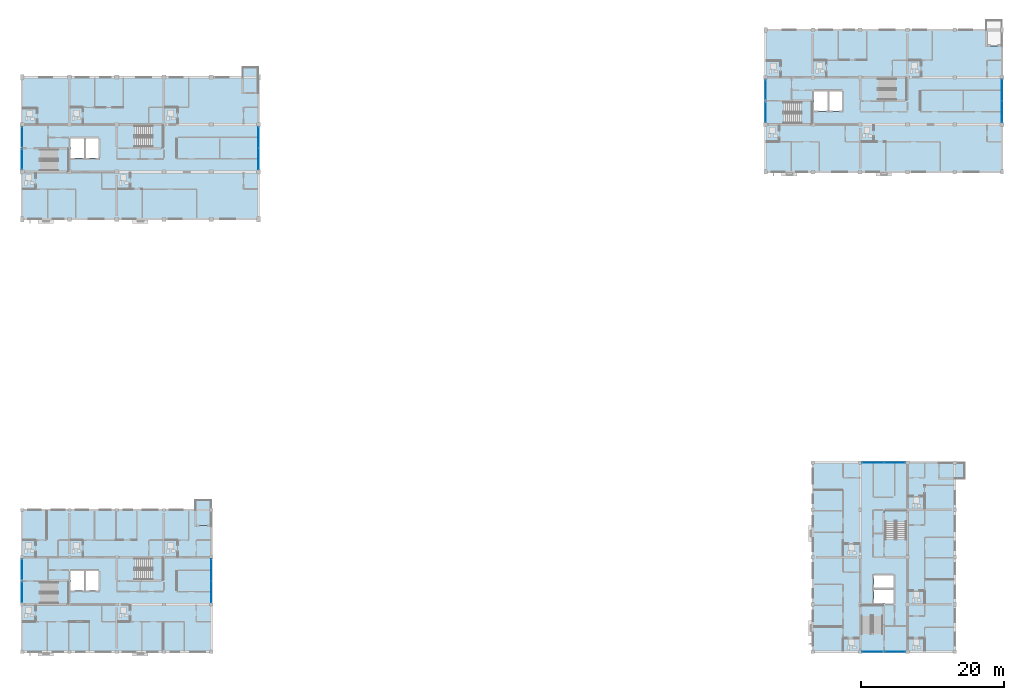
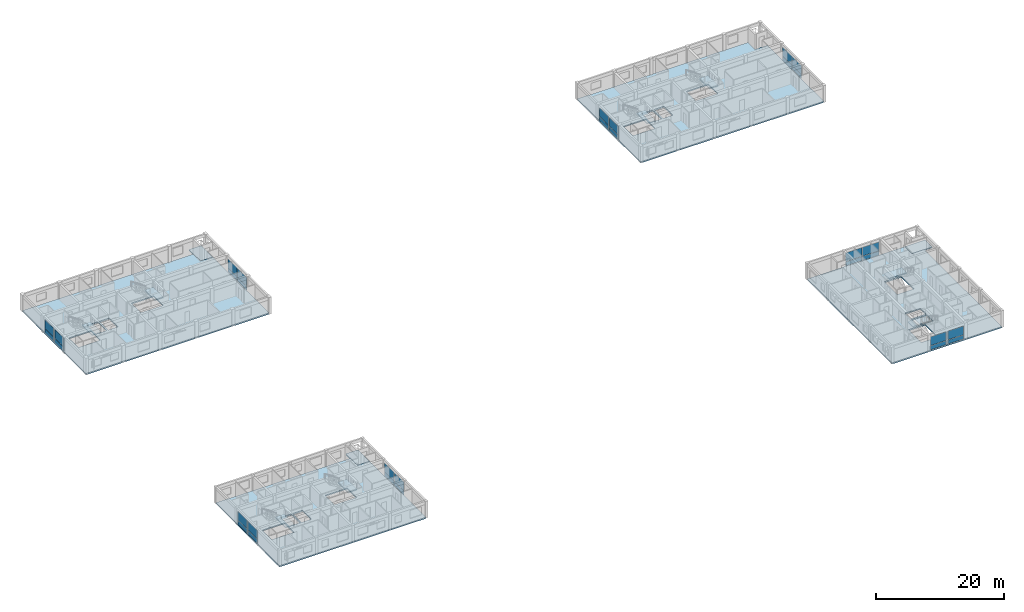
# One storey, part 24 of 52: 32 plates, 15 slabs, 20 elements without a shape of their own.
"""IFC4 building model written with IfcOpenShell, lengths in metres."""

from ifc_helpers import new_model, si_unit, direction, frame, origin, origin_2d, place, context, subcontext, project, spatial, polyline, rectangle, outline, extrude, material, layer, layer_set, type_object, element, aggregate, save


model = new_model("IFC4")

# Units and contexts
model_context = context("Model", 3, precision=1e-05, world=origin(), true_north=direction((0.0, 1.0)))
body_context = subcontext(model_context, "Body", "Model", "MODEL_VIEW")
ifc_project = project(units=[si_unit("LENGTHUNIT", "METRE"), si_unit("AREAUNIT", "SQUARE_METRE"), si_unit("VOLUMEUNIT", "CUBIC_METRE"), si_unit("PLANEANGLEUNIT", "RADIAN"), si_unit("MASSUNIT", "GRAM", prefix="KILO")], contexts=[model_context])

# Site, building, storey
site_placement = place(None, origin())
site = spatial("IfcSite", under=ifc_project, at=site_placement, CompositionType="ELEMENT")
building_placement = place(site_placement, origin())
building = spatial("IfcBuilding", under=site, at=building_placement, Name="Kernevlak Ridge Housing Community", CompositionType="ELEMENT")
storey_placement = place(building_placement, frame((0.0, 0.0, 11.60009765625)))
storey = spatial("IfcBuildingStorey", under=building, at=storey_placement, Name="L03", CompositionType="ELEMENT", Elevation=11.60009765625)

# Curtain wall, plate
ifc_material_1 = material(Name="Aluminium EN AW-6060 anodised and laminated glass", Category="aluminium")
curtain_wall_type_1 = type_object("IfcCurtainWallType", Name="CW-01", PredefinedType="NOTDEFINED", material=ifc_material_1)
curtain_wall_1_placement = place(storey_placement, origin())
curtain_wall_1 = element("IfcCurtainWall", 1, at=curtain_wall_1_placement, inside=storey, type_object=curtain_wall_type_1, Name="Curtain wall CW-01 CW-L03-010", PredefinedType="NOTDEFINED")
ifc_material_2 = material(Name="Solar-control double glazing glass", Category="glass")
ifc_layer_1 = layer(ifc_material_2, 0.02392578125, Name="Solar-control double glazing glass")
ifc_layer_set_1 = layer_set([ifc_layer_1], Name="Solar-control double glazing glass")
plate_type_1 = type_object("IfcPlateType", Name="CP-01", PredefinedType="CURTAIN_PANEL", material=ifc_layer_set_1)
plate_1_placement = place(storey_placement, frame((15.60009765625, 84.344970703125, 0.8798828125), z_axis=(0.0, 0.0, 1.0), x_axis=(0.0, 1.0, 0.0)))
plate_1 = element("IfcPlate", 2, at=plate_1_placement, type_object=plate_type_1, Name="CW-01 panel 1.2", PredefinedType="CURTAIN_PANEL", context=body_context, shape_type="SweptSolid", body=[
    extrude(rectangle(XDim=2.77001953125, YDim=0.02392578125, at=origin_2d()), origin(), (0.0, 0.0, 1.0), 1.659912109375),
])

curtain_wall_type_2 = type_object("IfcCurtainWallType", Name="CW-07", PredefinedType="NOTDEFINED", material=ifc_material_1)
curtain_wall_2_placement = place(storey_placement, origin())
curtain_wall_2 = element("IfcCurtainWall", 3, at=curtain_wall_2_placement, inside=storey, type_object=curtain_wall_type_2, Name="Curtain wall CW-07 CW-L03-011", PredefinedType="NOTDEFINED")
plate_2_placement = place(storey_placement, frame((15.60009765625, 87.455078125, 0.88232421875), z_axis=(0.0, 0.0, 1.0), x_axis=(0.0, 1.0, 0.0)))
plate_2 = element("IfcPlate", 4, at=plate_2_placement, type_object=plate_type_1, Name="CW-07 panel 1.2", PredefinedType="CURTAIN_PANEL", context=body_context, shape_type="SweptSolid", body=[
    extrude(rectangle(XDim=2.760009765625, YDim=0.02392578125, at=origin_2d()), origin(), (0.0, 0.0, 1.0), 1.652587890625),
])

# Curtain wall, plates
curtain_wall_type_3 = type_object("IfcCurtainWallType", Name="CW-09", PredefinedType="NOTDEFINED", material=ifc_material_1)
curtain_wall_3_placement = place(storey_placement, origin())
curtain_wall_3 = element("IfcCurtainWall", 5, at=curtain_wall_3_placement, inside=storey, type_object=curtain_wall_type_3, Name="Curtain wall CW-09 CW-L03-012", PredefinedType="NOTDEFINED")
plate_3_placement = place(storey_placement, frame((48.60009765625, 84.413818359375, 0.87744140625), z_axis=(0.0, 0.0, 1.0), x_axis=(0.0, 1.0, 0.0)))
plate_3 = element("IfcPlate", 6, at=plate_3_placement, type_object=plate_type_1, Name="CW-09 panel 1.2", PredefinedType="CURTAIN_PANEL", context=body_context, shape_type="SweptSolid", body=[
    extrude(rectangle(XDim=2.91748046875, YDim=0.02392578125, at=origin_2d()), origin(), (0.0, 0.0, 1.0), 1.66748046875),
])
plate_4_placement = place(storey_placement, frame((48.60009765625, 87.38623046875, 0.87744140625), z_axis=(0.0, 0.0, 1.0), x_axis=(0.0, 1.0, 0.0)))
plate_4 = element("IfcPlate", 7, at=plate_4_placement, type_object=plate_type_1, Name="CW-09 panel 2.2", PredefinedType="CURTAIN_PANEL", context=body_context, shape_type="SweptSolid", body=[
    extrude(rectangle(XDim=2.91748046875, YDim=0.02392578125, at=origin_2d()), origin(), (0.0, 0.0, 1.0), 1.66748046875),
])

# Curtain wall, plate
curtain_wall_type_4 = type_object("IfcCurtainWallType", Name="CW-04", PredefinedType="NOTDEFINED", material=ifc_material_1)
curtain_wall_4_placement = place(storey_placement, origin())
curtain_wall_4 = element("IfcCurtainWall", 8, at=curtain_wall_4_placement, inside=storey, type_object=curtain_wall_type_4, Name="Curtain wall CW-04 CW-L03-064", PredefinedType="NOTDEFINED")
plate_5_placement = place(storey_placement, frame((119.39990234375, 90.9326171875, 0.8798828125), z_axis=(0.0, 0.0, 1.0), x_axis=(0.0, 1.0, 0.0)))
plate_5 = element("IfcPlate", 9, at=plate_5_placement, type_object=plate_type_1, Name="CW-04 panel 1.2", PredefinedType="CURTAIN_PANEL", context=body_context, shape_type="SweptSolid", body=[
    extrude(rectangle(XDim=2.794921875, YDim=0.02392578125, at=origin_2d()), origin(), (0.0, 0.0, 1.0), 1.659912109375),
])

curtain_wall_type_5 = type_object("IfcCurtainWallType", Name="CW-10", PredefinedType="NOTDEFINED", material=ifc_material_1)
curtain_wall_5_placement = place(storey_placement, origin())
curtain_wall_5 = element("IfcCurtainWall", 10, at=curtain_wall_5_placement, inside=storey, type_object=curtain_wall_type_5, Name="Curtain wall CW-10 CW-L03-065", PredefinedType="NOTDEFINED")
plate_6_placement = place(storey_placement, frame((119.39990234375, 94.0673828125, 0.88232421875), z_axis=(0.0, 0.0, 1.0), x_axis=(0.0, 1.0, 0.0)))
plate_6 = element("IfcPlate", 11, at=plate_6_placement, type_object=plate_type_1, Name="CW-10 panel 1.2", PredefinedType="CURTAIN_PANEL", context=body_context, shape_type="SweptSolid", body=[
    extrude(rectangle(XDim=2.784912109375, YDim=0.02392578125, at=origin_2d()), origin(), (0.0, 0.0, 1.0), 1.652587890625),
])

# Curtain wall, plates
curtain_wall_type_6 = type_object("IfcCurtainWallType", Name="CW-11", PredefinedType="NOTDEFINED", material=ifc_material_1)
curtain_wall_6_placement = place(storey_placement, origin())
curtain_wall_6 = element("IfcCurtainWall", 12, at=curtain_wall_6_placement, inside=storey, type_object=curtain_wall_type_6, Name="Curtain wall CW-11 CW-L03-066", PredefinedType="NOTDEFINED")
plate_7_placement = place(storey_placement, frame((152.39990234375, 91.001220703125, 0.87744140625), z_axis=(0.0, 0.0, 1.0), x_axis=(0.0, 1.0, 0.0)))
plate_7 = element("IfcPlate", 13, at=plate_7_placement, type_object=plate_type_1, Name="CW-11 panel 1.2", PredefinedType="CURTAIN_PANEL", context=body_context, shape_type="SweptSolid", body=[
    extrude(rectangle(XDim=2.9423828125, YDim=0.02392578125, at=origin_2d()), origin(), (0.0, 0.0, 1.0), 1.66748046875),
])
plate_8_placement = place(storey_placement, frame((152.39990234375, 93.998779296875, 0.87744140625), z_axis=(0.0, 0.0, 1.0), x_axis=(0.0, 1.0, 0.0)))
plate_8 = element("IfcPlate", 14, at=plate_8_placement, type_object=plate_type_1, Name="CW-11 panel 2.2", PredefinedType="CURTAIN_PANEL", context=body_context, shape_type="SweptSolid", body=[
    extrude(rectangle(XDim=2.9423828125, YDim=0.02392578125, at=origin_2d()), origin(), (0.0, 0.0, 1.0), 1.66748046875),
])

# Curtain wall, plate
curtain_wall_7_placement = place(storey_placement, origin())
curtain_wall_7 = element("IfcCurtainWall", 15, at=curtain_wall_7_placement, inside=storey, type_object=curtain_wall_type_2, Name="Curtain wall CW-07 CW-L03-109", PredefinedType="NOTDEFINED")
plate_9_placement = place(storey_placement, frame((134.320068359375, 15.60009765625, 0.8798828125), z_axis=(0.0, 0.0, 1.0), x_axis=(1.0, 0.0, 0.0)))
plate_9 = element("IfcPlate", 16, at=plate_9_placement, type_object=plate_type_1, Name="CW-07 panel 1.2", PredefinedType="CURTAIN_PANEL", context=body_context, shape_type="SweptSolid", body=[
    extrude(rectangle(XDim=2.820068359375, YDim=0.02392578125, at=origin_2d()), origin(), (0.0, 0.0, 1.0), 1.659912109375),
])

curtain_wall_type_7 = type_object("IfcCurtainWallType", Name="CW-13", PredefinedType="NOTDEFINED", material=ifc_material_1)
curtain_wall_8_placement = place(storey_placement, origin())
curtain_wall_8 = element("IfcCurtainWall", 17, at=curtain_wall_8_placement, inside=storey, type_object=curtain_wall_type_7, Name="Curtain wall CW-13 CW-L03-110", PredefinedType="NOTDEFINED")
plate_10_placement = place(storey_placement, frame((137.47998046875, 15.60009765625, 0.88232421875), z_axis=(0.0, 0.0, 1.0), x_axis=(1.0, 0.0, 0.0)))
plate_10 = element("IfcPlate", 18, at=plate_10_placement, type_object=plate_type_1, Name="CW-13 panel 1.2", PredefinedType="CURTAIN_PANEL", context=body_context, shape_type="SweptSolid", body=[
    extrude(rectangle(XDim=2.81005859375, YDim=0.02392578125, at=origin_2d()), origin(), (0.0, 0.0, 1.0), 1.652587890625),
])

# Curtain wall, plates
curtain_wall_9_placement = place(storey_placement, origin())
curtain_wall_9 = element("IfcCurtainWall", 19, at=curtain_wall_9_placement, inside=storey, type_object=curtain_wall_type_7, Name="Curtain wall CW-13 CW-L03-111", PredefinedType="NOTDEFINED")
plate_11_placement = place(storey_placement, frame((134.388671875, 42.0, 0.87744140625), z_axis=(0.0, 0.0, 1.0), x_axis=(1.0, 0.0, 0.0)))
plate_11 = element("IfcPlate", 20, at=plate_11_placement, type_object=plate_type_1, Name="CW-13 panel 1.2", PredefinedType="CURTAIN_PANEL", context=body_context, shape_type="SweptSolid", body=[
    extrude(rectangle(XDim=2.967529296875, YDim=0.02392578125, at=origin_2d()), origin(), (0.0, 0.0, 1.0), 1.66748046875),
])
plate_12_placement = place(storey_placement, frame((137.4111328125, 42.0, 0.87744140625), z_axis=(0.0, 0.0, 1.0), x_axis=(1.0, 0.0, 0.0)))
plate_12 = element("IfcPlate", 21, at=plate_12_placement, type_object=plate_type_1, Name="CW-13 panel 2.2", PredefinedType="CURTAIN_PANEL", context=body_context, shape_type="SweptSolid", body=[
    extrude(rectangle(XDim=2.967529296875, YDim=0.02392578125, at=origin_2d()), origin(), (0.0, 0.0, 1.0), 1.66748046875),
])

# Curtain wall, plate
curtain_wall_10_placement = place(storey_placement, origin())
curtain_wall_10 = element("IfcCurtainWall", 22, at=curtain_wall_10_placement, inside=storey, type_object=curtain_wall_type_5, Name="Curtain wall CW-10 CW-L03-148", PredefinedType="NOTDEFINED")
plate_13_placement = place(storey_placement, frame((15.60009765625, 23.907470703125, 0.8798828125), z_axis=(0.0, 0.0, 1.0), x_axis=(0.0, 1.0, 0.0)))
plate_13 = element("IfcPlate", 23, at=plate_13_placement, type_object=plate_type_1, Name="CW-10 panel 1.2", PredefinedType="CURTAIN_PANEL", context=body_context, shape_type="SweptSolid", body=[
    extrude(rectangle(XDim=2.844970703125, YDim=0.02392578125, at=origin_2d()), origin(), (0.0, 0.0, 1.0), 1.659912109375),
])

curtain_wall_type_8 = type_object("IfcCurtainWallType", Name="CW-02", PredefinedType="NOTDEFINED", material=ifc_material_1)
curtain_wall_11_placement = place(storey_placement, origin())
curtain_wall_11 = element("IfcCurtainWall", 24, at=curtain_wall_11_placement, inside=storey, type_object=curtain_wall_type_8, Name="Curtain wall CW-02 CW-L03-149", PredefinedType="NOTDEFINED")
plate_14_placement = place(storey_placement, frame((15.60009765625, 27.092529296875, 0.88232421875), z_axis=(0.0, 0.0, 1.0), x_axis=(0.0, 1.0, 0.0)))
plate_14 = element("IfcPlate", 25, at=plate_14_placement, type_object=plate_type_1, Name="CW-02 panel 1.2", PredefinedType="CURTAIN_PANEL", context=body_context, shape_type="SweptSolid", body=[
    extrude(rectangle(XDim=2.8349609375, YDim=0.02392578125, at=origin_2d()), origin(), (0.0, 0.0, 1.0), 1.652587890625),
])

# Curtain wall, plates
curtain_wall_12_placement = place(storey_placement, origin())
curtain_wall_12 = element("IfcCurtainWall", 26, at=curtain_wall_12_placement, inside=storey, type_object=curtain_wall_type_1, Name="Curtain wall CW-01 CW-L03-150", PredefinedType="NOTDEFINED")
plate_15_placement = place(storey_placement, frame((42.0, 23.976318359375, 0.87744140625), z_axis=(0.0, 0.0, 1.0), x_axis=(0.0, 1.0, 0.0)))
plate_15 = element("IfcPlate", 27, at=plate_15_placement, type_object=plate_type_1, Name="CW-01 panel 1.2", PredefinedType="CURTAIN_PANEL", context=body_context, shape_type="SweptSolid", body=[
    extrude(rectangle(XDim=2.992431640625, YDim=0.02392578125, at=origin_2d()), origin(), (0.0, 0.0, 1.0), 1.66748046875),
])
plate_16_placement = place(storey_placement, frame((42.0, 27.023681640625, 0.87744140625), z_axis=(0.0, 0.0, 1.0), x_axis=(0.0, 1.0, 0.0)))
plate_16 = element("IfcPlate", 28, at=plate_16_placement, type_object=plate_type_1, Name="CW-01 panel 2.2", PredefinedType="CURTAIN_PANEL", context=body_context, shape_type="SweptSolid", body=[
    extrude(rectangle(XDim=2.992431640625, YDim=0.02392578125, at=origin_2d()), origin(), (0.0, 0.0, 1.0), 1.66748046875),
])

# Plate
ifc_material_3 = material(Name="Aluminium EN AW-5005 enamelled panel", Category="aluminium")
ifc_layer_2 = layer(ifc_material_3, 0.033935546875, Name="Aluminium EN AW-5005 enamelled panel")
ifc_layer_set_2 = layer_set([ifc_layer_2], Name="Aluminium EN AW-5005 enamelled panel")
plate_type_2 = type_object("IfcPlateType", Name="CP-03", PredefinedType="CURTAIN_PANEL", material=ifc_layer_set_2)
plate_17_placement = place(storey_placement, frame((15.60009765625, 87.455078125, 0.06494140625), z_axis=(0.0, 0.0, 1.0), x_axis=(0.0, 1.0, 0.0)))
plate_17 = element("IfcPlate", 29, at=plate_17_placement, type_object=plate_type_2, Name="CW-07 panel 1.1", PredefinedType="CURTAIN_PANEL", context=body_context, shape_type="SweptSolid", body=[
    extrude(rectangle(XDim=2.760009765625, YDim=0.033935546875, at=origin_2d()), origin(), (0.0, 0.0, 1.0), 0.75244140625),
])

aggregate(curtain_wall_2, [plate_17, plate_2])

plate_18_placement = place(storey_placement, frame((119.39990234375, 90.9326171875, 0.06005859375), z_axis=(0.0, 0.0, 1.0), x_axis=(0.0, 1.0, 0.0)))
plate_18 = element("IfcPlate", 30, at=plate_18_placement, type_object=plate_type_2, Name="CW-04 panel 1.1", PredefinedType="CURTAIN_PANEL", context=body_context, shape_type="SweptSolid", body=[
    extrude(rectangle(XDim=2.794921875, YDim=0.033935546875, at=origin_2d()), origin(), (0.0, 0.0, 1.0), 0.760009765625),
])

aggregate(curtain_wall_4, [plate_18, plate_5])

ifc_layer_3 = layer(ifc_material_3, 0.0380859375, Name="Aluminium EN AW-5005 enamelled panel")
ifc_layer_set_3 = layer_set([ifc_layer_3], Name="Aluminium EN AW-5005 enamelled panel")
plate_type_3 = type_object("IfcPlateType", Name="CP-04", PredefinedType="CURTAIN_PANEL", material=ifc_layer_set_3)
plate_19_placement = place(storey_placement, frame((48.60009765625, 84.413818359375, 0.054931640625), z_axis=(0.0, 0.0, 1.0), x_axis=(0.0, 1.0, 0.0)))
plate_19 = element("IfcPlate", 31, at=plate_19_placement, type_object=plate_type_3, Name="CW-09 panel 1.1", PredefinedType="CURTAIN_PANEL", context=body_context, shape_type="SweptSolid", body=[
    extrude(rectangle(XDim=2.91748046875, YDim=0.0380859375, at=origin_2d()), origin(), (0.0, 0.0, 1.0), 0.767578125),
])

plate_20_placement = place(storey_placement, frame((48.60009765625, 87.38623046875, 0.054931640625), z_axis=(0.0, 0.0, 1.0), x_axis=(0.0, 1.0, 0.0)))
plate_20 = element("IfcPlate", 32, at=plate_20_placement, type_object=plate_type_3, Name="CW-09 panel 2.1", PredefinedType="CURTAIN_PANEL", context=body_context, shape_type="SweptSolid", body=[
    extrude(rectangle(XDim=2.91748046875, YDim=0.0380859375, at=origin_2d()), origin(), (0.0, 0.0, 1.0), 0.767578125),
])

aggregate(curtain_wall_3, [plate_19, plate_3, plate_20, plate_4])

plate_21_placement = place(storey_placement, frame((119.39990234375, 94.0673828125, 0.06494140625), z_axis=(0.0, 0.0, 1.0), x_axis=(0.0, 1.0, 0.0)))
plate_21 = element("IfcPlate", 33, at=plate_21_placement, type_object=plate_type_3, Name="CW-10 panel 1.1", PredefinedType="CURTAIN_PANEL", context=body_context, shape_type="SweptSolid", body=[
    extrude(rectangle(XDim=2.784912109375, YDim=0.0380859375, at=origin_2d()), origin(), (0.0, 0.0, 1.0), 0.75244140625),
])

aggregate(curtain_wall_5, [plate_21, plate_6])

plate_22_placement = place(storey_placement, frame((134.320068359375, 15.60009765625, 0.06005859375), z_axis=(0.0, 0.0, 1.0), x_axis=(1.0, 0.0, 0.0)))
plate_22 = element("IfcPlate", 34, at=plate_22_placement, type_object=plate_type_3, Name="CW-07 panel 1.1", PredefinedType="CURTAIN_PANEL", context=body_context, shape_type="SweptSolid", body=[
    extrude(rectangle(XDim=2.820068359375, YDim=0.0380859375, at=origin_2d()), origin(), (0.0, 0.0, 1.0), 0.760009765625),
])

aggregate(curtain_wall_7, [plate_22, plate_9])

ifc_layer_4 = layer(ifc_material_3, 0.0419921875, Name="Aluminium EN AW-5005 enamelled panel")
ifc_layer_set_4 = layer_set([ifc_layer_4], Name="Aluminium EN AW-5005 enamelled panel")
plate_type_4 = type_object("IfcPlateType", Name="CP-05", PredefinedType="CURTAIN_PANEL", material=ifc_layer_set_4)
plate_23_placement = place(storey_placement, frame((152.39990234375, 91.001220703125, 0.054931640625), z_axis=(0.0, 0.0, 1.0), x_axis=(0.0, 1.0, 0.0)))
plate_23 = element("IfcPlate", 35, at=plate_23_placement, type_object=plate_type_4, Name="CW-11 panel 1.1", PredefinedType="CURTAIN_PANEL", context=body_context, shape_type="SweptSolid", body=[
    extrude(rectangle(XDim=2.9423828125, YDim=0.0419921875, at=origin_2d()), origin(), (0.0, 0.0, 1.0), 0.767578125),
])

plate_24_placement = place(storey_placement, frame((152.39990234375, 93.998779296875, 0.054931640625), z_axis=(0.0, 0.0, 1.0), x_axis=(0.0, 1.0, 0.0)))
plate_24 = element("IfcPlate", 36, at=plate_24_placement, type_object=plate_type_4, Name="CW-11 panel 2.1", PredefinedType="CURTAIN_PANEL", context=body_context, shape_type="SweptSolid", body=[
    extrude(rectangle(XDim=2.9423828125, YDim=0.0419921875, at=origin_2d()), origin(), (0.0, 0.0, 1.0), 0.767578125),
])

aggregate(curtain_wall_6, [plate_23, plate_7, plate_24, plate_8])

plate_25_placement = place(storey_placement, frame((137.47998046875, 15.60009765625, 0.06494140625), z_axis=(0.0, 0.0, 1.0), x_axis=(1.0, 0.0, 0.0)))
plate_25 = element("IfcPlate", 37, at=plate_25_placement, type_object=plate_type_4, Name="CW-13 panel 1.1", PredefinedType="CURTAIN_PANEL", context=body_context, shape_type="SweptSolid", body=[
    extrude(rectangle(XDim=2.81005859375, YDim=0.0419921875, at=origin_2d()), origin(), (0.0, 0.0, 1.0), 0.75244140625),
])

aggregate(curtain_wall_8, [plate_25, plate_10])

plate_26_placement = place(storey_placement, frame((15.60009765625, 23.907470703125, 0.06005859375), z_axis=(0.0, 0.0, 1.0), x_axis=(0.0, 1.0, 0.0)))
plate_26 = element("IfcPlate", 38, at=plate_26_placement, type_object=plate_type_4, Name="CW-10 panel 1.1", PredefinedType="CURTAIN_PANEL", context=body_context, shape_type="SweptSolid", body=[
    extrude(rectangle(XDim=2.844970703125, YDim=0.0419921875, at=origin_2d()), origin(), (0.0, 0.0, 1.0), 0.760009765625),
])

aggregate(curtain_wall_10, [plate_26, plate_13])

ifc_material_4 = material(Name="Aluminium EN AW-5005 insulated panel", Category="aluminium")
ifc_layer_5 = layer(ifc_material_4, 0.0458984375, Name="Aluminium EN AW-5005 insulated panel")
ifc_layer_set_5 = layer_set([ifc_layer_5], Name="Aluminium EN AW-5005 insulated panel")
plate_type_5 = type_object("IfcPlateType", Name="CP-06", PredefinedType="CURTAIN_PANEL", material=ifc_layer_set_5)
plate_27_placement = place(storey_placement, frame((134.388671875, 42.0, 0.054931640625), z_axis=(0.0, 0.0, 1.0), x_axis=(1.0, 0.0, 0.0)))
plate_27 = element("IfcPlate", 39, at=plate_27_placement, type_object=plate_type_5, Name="CW-13 panel 1.1", PredefinedType="CURTAIN_PANEL", context=body_context, shape_type="SweptSolid", body=[
    extrude(rectangle(XDim=2.967529296875, YDim=0.0458984375, at=origin_2d()), origin(), (0.0, 0.0, 1.0), 0.767578125),
])

plate_28_placement = place(storey_placement, frame((137.4111328125, 42.0, 0.054931640625), z_axis=(0.0, 0.0, 1.0), x_axis=(1.0, 0.0, 0.0)))
plate_28 = element("IfcPlate", 40, at=plate_28_placement, type_object=plate_type_5, Name="CW-13 panel 2.1", PredefinedType="CURTAIN_PANEL", context=body_context, shape_type="SweptSolid", body=[
    extrude(rectangle(XDim=2.967529296875, YDim=0.0458984375, at=origin_2d()), origin(), (0.0, 0.0, 1.0), 0.767578125),
])

aggregate(curtain_wall_9, [plate_27, plate_11, plate_28, plate_12])

plate_29_placement = place(storey_placement, frame((15.60009765625, 27.092529296875, 0.06494140625), z_axis=(0.0, 0.0, 1.0), x_axis=(0.0, 1.0, 0.0)))
plate_29 = element("IfcPlate", 41, at=plate_29_placement, type_object=plate_type_5, Name="CW-02 panel 1.1", PredefinedType="CURTAIN_PANEL", context=body_context, shape_type="SweptSolid", body=[
    extrude(rectangle(XDim=2.8349609375, YDim=0.0458984375, at=origin_2d()), origin(), (0.0, 0.0, 1.0), 0.75244140625),
])

aggregate(curtain_wall_11, [plate_29, plate_14])

ifc_layer_6 = layer(ifc_material_4, 0.050048828125, Name="Aluminium EN AW-5005 insulated panel")
ifc_layer_set_6 = layer_set([ifc_layer_6], Name="Aluminium EN AW-5005 insulated panel")
plate_type_6 = type_object("IfcPlateType", Name="CP-07", PredefinedType="CURTAIN_PANEL", material=ifc_layer_set_6)
plate_30_placement = place(storey_placement, frame((15.60009765625, 84.344970703125, 0.06005859375), z_axis=(0.0, 0.0, 1.0), x_axis=(0.0, 1.0, 0.0)))
plate_30 = element("IfcPlate", 42, at=plate_30_placement, type_object=plate_type_6, Name="CW-01 panel 1.1", PredefinedType="CURTAIN_PANEL", context=body_context, shape_type="SweptSolid", body=[
    extrude(rectangle(XDim=2.77001953125, YDim=0.050048828125, at=origin_2d()), origin(), (0.0, 0.0, 1.0), 0.760009765625),
])

aggregate(curtain_wall_1, [plate_30, plate_1])

plate_31_placement = place(storey_placement, frame((42.0, 23.976318359375, 0.054931640625), z_axis=(0.0, 0.0, 1.0), x_axis=(0.0, 1.0, 0.0)))
plate_31 = element("IfcPlate", 43, at=plate_31_placement, type_object=plate_type_6, Name="CW-01 panel 1.1", PredefinedType="CURTAIN_PANEL", context=body_context, shape_type="SweptSolid", body=[
    extrude(rectangle(XDim=2.992431640625, YDim=0.050048828125, at=origin_2d()), origin(), (0.0, 0.0, 1.0), 0.767578125),
])

plate_32_placement = place(storey_placement, frame((42.0, 27.023681640625, 0.054931640625), z_axis=(0.0, 0.0, 1.0), x_axis=(0.0, 1.0, 0.0)))
plate_32 = element("IfcPlate", 44, at=plate_32_placement, type_object=plate_type_6, Name="CW-01 panel 2.1", PredefinedType="CURTAIN_PANEL", context=body_context, shape_type="SweptSolid", body=[
    extrude(rectangle(XDim=2.992431640625, YDim=0.050048828125, at=origin_2d()), origin(), (0.0, 0.0, 1.0), 0.767578125),
])

aggregate(curtain_wall_12, [plate_31, plate_15, plate_32, plate_16])

# Slabs
ifc_material_5 = material(Name="Concrete C35/45", Category="concrete")
ifc_layer_7 = layer(ifc_material_5, 0.239990234375, Name="Concrete C35/45")
ifc_layer_set_7 = layer_set([ifc_layer_7], Name="Concrete C35/45")
slab_type_1 = type_object("IfcSlabType", Name="SL-03", PredefinedType="FLOOR", material=ifc_layer_set_7)
slab_1_placement = place(storey_placement, frame((0.0, 0.0, -0.239990234375)))
element("IfcSlab", 45, at=slab_1_placement, inside=storey, type_object=slab_type_1, Name="Block A level L03 floor slab", PredefinedType="FLOOR", context=body_context, shape_type="SweptSolid", body=[
    extrude(outline(polyline([(15.60009765625, 76.0), (48.60009765625, 76.0), (48.60009765625, 93.60009765625), (46.39990234375, 93.60009765625), (46.39990234375, 95.800048828125), (15.60009765625, 95.800048828125), (15.60009765625, 76.0)]), holes=[polyline([(18.139892578125, 85.75), (22.1201171875, 85.75), (22.1201171875, 82.75), (18.139892578125, 82.75), (18.139892578125, 85.75)]), polyline([(31.340087890625, 89.050048828125), (35.320068359375, 89.050048828125), (35.320068359375, 86.050048828125), (31.340087890625, 86.050048828125), (31.340087890625, 89.050048828125)]), polyline([(22.320068359375, 87.280029296875), (24.280029296875, 87.280029296875), (24.280029296875, 84.52001953125), (22.320068359375, 84.52001953125), (22.320068359375, 87.280029296875)]), polyline([(24.52001953125, 87.280029296875), (26.280029296875, 87.280029296875), (26.280029296875, 84.52001953125), (24.52001953125, 84.52001953125), (24.52001953125, 87.280029296875)])]), origin(), (0.0, 0.0, 1.0), 0.239990234375),
])
slab_2_placement = place(storey_placement, frame((0.0, 0.0, -0.239990234375)))
element("IfcSlab", 46, at=slab_2_placement, inside=storey, type_object=slab_type_1, Name="Block B level L03 floor slab", PredefinedType="FLOOR", context=body_context, shape_type="SweptSolid", body=[
    extrude(outline(polyline([(119.39990234375, 82.60009765625), (152.39990234375, 82.60009765625), (152.39990234375, 100.199951171875), (150.199951171875, 100.199951171875), (150.199951171875, 102.39990234375), (119.39990234375, 102.39990234375), (119.39990234375, 82.60009765625)]), holes=[polyline([(121.93994140625, 92.35009765625), (125.919921875, 92.35009765625), (125.919921875, 89.35009765625), (121.93994140625, 89.35009765625), (121.93994140625, 92.35009765625)]), polyline([(135.139892578125, 95.64990234375), (139.1201171875, 95.64990234375), (139.1201171875, 92.64990234375), (135.139892578125, 92.64990234375), (135.139892578125, 95.64990234375)]), polyline([(126.1201171875, 93.8798828125), (128.080078125, 93.8798828125), (128.080078125, 91.1201171875), (126.1201171875, 91.1201171875), (126.1201171875, 93.8798828125)]), polyline([(128.320068359375, 93.8798828125), (130.080078125, 93.8798828125), (130.080078125, 91.1201171875), (128.320068359375, 91.1201171875), (128.320068359375, 93.8798828125)])]), origin(), (0.0, 0.0, 1.0), 0.239990234375),
])
slab_3_placement = place(storey_placement, frame((0.0, 0.0, -0.239990234375)))
element("IfcSlab", 47, at=slab_3_placement, inside=storey, type_object=slab_type_1, Name="Block C level L03 floor slab", PredefinedType="FLOOR", context=body_context, shape_type="SweptSolid", body=[
    extrude(outline(polyline([(145.800048828125, 15.60009765625), (145.800048828125, 39.800048828125), (143.60009765625, 39.800048828125), (143.60009765625, 42.0), (126.0, 42.0), (126.0, 15.60009765625), (145.800048828125, 15.60009765625)]), holes=[polyline([(132.75, 18.139892578125), (132.75, 22.1201171875), (135.75, 22.1201171875), (135.75, 18.139892578125), (132.75, 18.139892578125)]), polyline([(136.050048828125, 31.340087890625), (136.050048828125, 35.320068359375), (139.050048828125, 35.320068359375), (139.050048828125, 31.340087890625), (136.050048828125, 31.340087890625)]), polyline([(134.52001953125, 24.280029296875), (137.280029296875, 24.280029296875), (137.280029296875, 22.320068359375), (134.52001953125, 22.320068359375), (134.52001953125, 24.280029296875)]), polyline([(134.52001953125, 26.280029296875), (137.280029296875, 26.280029296875), (137.280029296875, 24.52001953125), (134.52001953125, 24.52001953125), (134.52001953125, 26.280029296875)])]), origin(), (0.0, 0.0, 1.0), 0.239990234375),
])
slab_4_placement = place(storey_placement, frame((0.0, 0.0, -0.239990234375)))
element("IfcSlab", 48, at=slab_4_placement, inside=storey, type_object=slab_type_1, Name="Block D level L03 floor slab", PredefinedType="FLOOR", context=body_context, shape_type="SweptSolid", body=[
    extrude(outline(polyline([(15.60009765625, 15.60009765625), (42.0, 15.60009765625), (42.0, 33.199951171875), (39.800048828125, 33.199951171875), (39.800048828125, 35.39990234375), (15.60009765625, 35.39990234375), (15.60009765625, 15.60009765625)]), holes=[polyline([(18.139892578125, 25.35009765625), (22.1201171875, 25.35009765625), (22.1201171875, 22.35009765625), (18.139892578125, 22.35009765625), (18.139892578125, 25.35009765625)]), polyline([(31.340087890625, 28.64990234375), (35.320068359375, 28.64990234375), (35.320068359375, 25.64990234375), (31.340087890625, 25.64990234375), (31.340087890625, 28.64990234375)]), polyline([(22.320068359375, 26.8798828125), (24.280029296875, 26.8798828125), (24.280029296875, 24.1201171875), (22.320068359375, 24.1201171875), (22.320068359375, 26.8798828125)]), polyline([(24.52001953125, 26.8798828125), (26.280029296875, 26.8798828125), (26.280029296875, 24.1201171875), (24.52001953125, 24.1201171875), (24.52001953125, 26.8798828125)])]), origin(), (0.0, 0.0, 1.0), 0.239990234375),
])
ifc_layer_8 = layer(ifc_material_5, 0.199951171875, Name="Concrete C35/45")
ifc_layer_set_8 = layer_set([ifc_layer_8], Name="Concrete C35/45")
slab_type_2 = type_object("IfcSlabType", Name="SL-05", PredefinedType="FLOOR", material=ifc_layer_set_8)
slab_5_placement = place(storey_placement, frame((0.0, 0.0, -0.2001953125)))
element("IfcSlab", 49, at=slab_5_placement, inside=storey, type_object=slab_type_2, Name="Block A L03 corner balcony deck slab", PredefinedType="FLOOR", context=body_context, shape_type="SweptSolid", body=[
    extrude(outline(polyline([(46.39990234375, 93.60009765625), (48.60009765625, 93.60009765625), (48.60009765625, 97.199951171875), (46.39990234375, 97.199951171875), (46.39990234375, 93.60009765625)])), origin(), (0.0, 0.0, 1.0), 0.2001953125),
])
slab_6_placement = place(storey_placement, frame((0.0, 0.0, -0.2001953125)))
element("IfcSlab", 50, at=slab_6_placement, inside=storey, type_object=slab_type_2, Name="Block C L03 corner balcony deck slab", PredefinedType="FLOOR", context=body_context, shape_type="SweptSolid", body=[
    extrude(outline(polyline([(147.199951171875, 39.800048828125), (147.199951171875, 42.0), (143.60009765625, 42.0), (143.60009765625, 39.800048828125), (147.199951171875, 39.800048828125)])), origin(), (0.0, 0.0, 1.0), 0.2001953125),
])
slab_7_placement = place(storey_placement, frame((0.0, 0.0, -0.2001953125)))
element("IfcSlab", 51, at=slab_7_placement, inside=storey, type_object=slab_type_2, Name="Block D L03 corner balcony deck slab", PredefinedType="FLOOR", context=body_context, shape_type="SweptSolid", body=[
    extrude(outline(polyline([(39.800048828125, 33.199951171875), (42.0, 33.199951171875), (42.0, 36.800048828125), (39.800048828125, 36.800048828125), (39.800048828125, 33.199951171875)])), origin(), (0.0, 0.0, 1.0), 0.2001953125),
])

# Stair, slab
stair_type = type_object("IfcStairType", Name="SR-01", PredefinedType="HALF_TURN_STAIR", material=ifc_material_5)
stair_1_placement = place(storey_placement, origin())
stair_1 = element("IfcStair", 52, at=stair_1_placement, inside=storey, type_object=stair_type, Name="Stair ST-A1 L03", PredefinedType="HALF_TURN_STAIR")
ifc_layer_9 = layer(ifc_material_5, 0.18994140625, Name="Concrete C35/45")
ifc_layer_set_9 = layer_set([ifc_layer_9], Name="Concrete C35/45")
slab_type_3 = type_object("IfcSlabType", Name="SL-13", PredefinedType="LANDING", material=ifc_layer_set_9)
slab_8_placement = place(storey_placement, frame((0.0, 0.0, 1.409912109375)))
slab_8 = element("IfcSlab", 53, at=slab_8_placement, type_object=slab_type_3, Name="SR-01 landing 1", PredefinedType="LANDING", context=body_context, shape_type="SweptSolid", body=[
    extrude(outline(polyline([(20.5400390625, 82.64990234375), (22.14990234375, 82.64990234375), (22.14990234375, 85.85009765625), (20.5400390625, 85.85009765625), (20.5400390625, 82.64990234375)])), origin(), (0.0, 0.0, 1.0), 0.18994140625),
])
aggregate(stair_1, [slab_8])

stair_2_placement = place(storey_placement, origin())
stair_2 = element("IfcStair", 54, at=stair_2_placement, inside=storey, type_object=stair_type, Name="Stair ST-A2 L03", PredefinedType="HALF_TURN_STAIR")
slab_9_placement = place(storey_placement, frame((0.0, 0.0, 1.409912109375)))
slab_9 = element("IfcSlab", 55, at=slab_9_placement, type_object=slab_type_3, Name="SR-01 landing 1", PredefinedType="LANDING", context=body_context, shape_type="SweptSolid", body=[
    extrude(outline(polyline([(33.739990234375, 85.949951171875), (35.35009765625, 85.949951171875), (35.35009765625, 89.14990234375), (33.739990234375, 89.14990234375), (33.739990234375, 85.949951171875)])), origin(), (0.0, 0.0, 1.0), 0.18994140625),
])
aggregate(stair_2, [slab_9])

stair_3_placement = place(storey_placement, origin())
stair_3 = element("IfcStair", 56, at=stair_3_placement, inside=storey, type_object=stair_type, Name="Stair ST-B1 L03", PredefinedType="HALF_TURN_STAIR")
slab_10_placement = place(storey_placement, frame((0.0, 0.0, 1.409912109375)))
slab_10 = element("IfcSlab", 57, at=slab_10_placement, type_object=slab_type_3, Name="SR-01 landing 1", PredefinedType="LANDING", context=body_context, shape_type="SweptSolid", body=[
    extrude(outline(polyline([(124.340087890625, 89.25), (125.949951171875, 89.25), (125.949951171875, 92.449951171875), (124.340087890625, 92.449951171875), (124.340087890625, 89.25)])), origin(), (0.0, 0.0, 1.0), 0.18994140625),
])
aggregate(stair_3, [slab_10])

stair_4_placement = place(storey_placement, origin())
stair_4 = element("IfcStair", 58, at=stair_4_placement, inside=storey, type_object=stair_type, Name="Stair ST-B2 L03", PredefinedType="HALF_TURN_STAIR")
slab_11_placement = place(storey_placement, frame((0.0, 0.0, 1.409912109375)))
slab_11 = element("IfcSlab", 59, at=slab_11_placement, type_object=slab_type_3, Name="SR-01 landing 1", PredefinedType="LANDING", context=body_context, shape_type="SweptSolid", body=[
    extrude(outline(polyline([(137.5400390625, 92.550048828125), (139.14990234375, 92.550048828125), (139.14990234375, 95.75), (137.5400390625, 95.75), (137.5400390625, 92.550048828125)])), origin(), (0.0, 0.0, 1.0), 0.18994140625),
])
aggregate(stair_4, [slab_11])

stair_5_placement = place(storey_placement, origin())
stair_5 = element("IfcStair", 60, at=stair_5_placement, inside=storey, type_object=stair_type, Name="Stair ST-C1 L03", PredefinedType="HALF_TURN_STAIR")
slab_12_placement = place(storey_placement, frame((0.0, 0.0, 1.409912109375)))
slab_12 = element("IfcSlab", 61, at=slab_12_placement, type_object=slab_type_3, Name="SR-01 landing 1", PredefinedType="LANDING", context=body_context, shape_type="SweptSolid", body=[
    extrude(outline(polyline([(135.85009765625, 20.5400390625), (135.85009765625, 22.14990234375), (132.64990234375, 22.14990234375), (132.64990234375, 20.5400390625), (135.85009765625, 20.5400390625)])), origin(), (0.0, 0.0, 1.0), 0.18994140625),
])
aggregate(stair_5, [slab_12])

stair_6_placement = place(storey_placement, origin())
stair_6 = element("IfcStair", 62, at=stair_6_placement, inside=storey, type_object=stair_type, Name="Stair ST-C2 L03", PredefinedType="HALF_TURN_STAIR")
slab_13_placement = place(storey_placement, frame((0.0, 0.0, 1.409912109375)))
slab_13 = element("IfcSlab", 63, at=slab_13_placement, type_object=slab_type_3, Name="SR-01 landing 1", PredefinedType="LANDING", context=body_context, shape_type="SweptSolid", body=[
    extrude(outline(polyline([(139.14990234375, 33.739990234375), (139.14990234375, 35.35009765625), (135.949951171875, 35.35009765625), (135.949951171875, 33.739990234375), (139.14990234375, 33.739990234375)])), origin(), (0.0, 0.0, 1.0), 0.18994140625),
])
aggregate(stair_6, [slab_13])

stair_7_placement = place(storey_placement, origin())
stair_7 = element("IfcStair", 64, at=stair_7_placement, inside=storey, type_object=stair_type, Name="Stair ST-D1 L03", PredefinedType="HALF_TURN_STAIR")
slab_14_placement = place(storey_placement, frame((0.0, 0.0, 1.409912109375)))
slab_14 = element("IfcSlab", 65, at=slab_14_placement, type_object=slab_type_3, Name="SR-01 landing 1", PredefinedType="LANDING", context=body_context, shape_type="SweptSolid", body=[
    extrude(outline(polyline([(20.5400390625, 22.25), (22.14990234375, 22.25), (22.14990234375, 25.449951171875), (20.5400390625, 25.449951171875), (20.5400390625, 22.25)])), origin(), (0.0, 0.0, 1.0), 0.18994140625),
])
aggregate(stair_7, [slab_14])

stair_8_placement = place(storey_placement, origin())
stair_8 = element("IfcStair", 66, at=stair_8_placement, inside=storey, type_object=stair_type, Name="Stair ST-D2 L03", PredefinedType="HALF_TURN_STAIR")
slab_15_placement = place(storey_placement, frame((0.0, 0.0, 1.409912109375)))
slab_15 = element("IfcSlab", 67, at=slab_15_placement, type_object=slab_type_3, Name="SR-01 landing 1", PredefinedType="LANDING", context=body_context, shape_type="SweptSolid", body=[
    extrude(outline(polyline([(33.739990234375, 25.550048828125), (35.35009765625, 25.550048828125), (35.35009765625, 28.75), (33.739990234375, 28.75), (33.739990234375, 25.550048828125)])), origin(), (0.0, 0.0, 1.0), 0.18994140625),
])
aggregate(stair_8, [slab_15])

save(model, "model.ifc")
